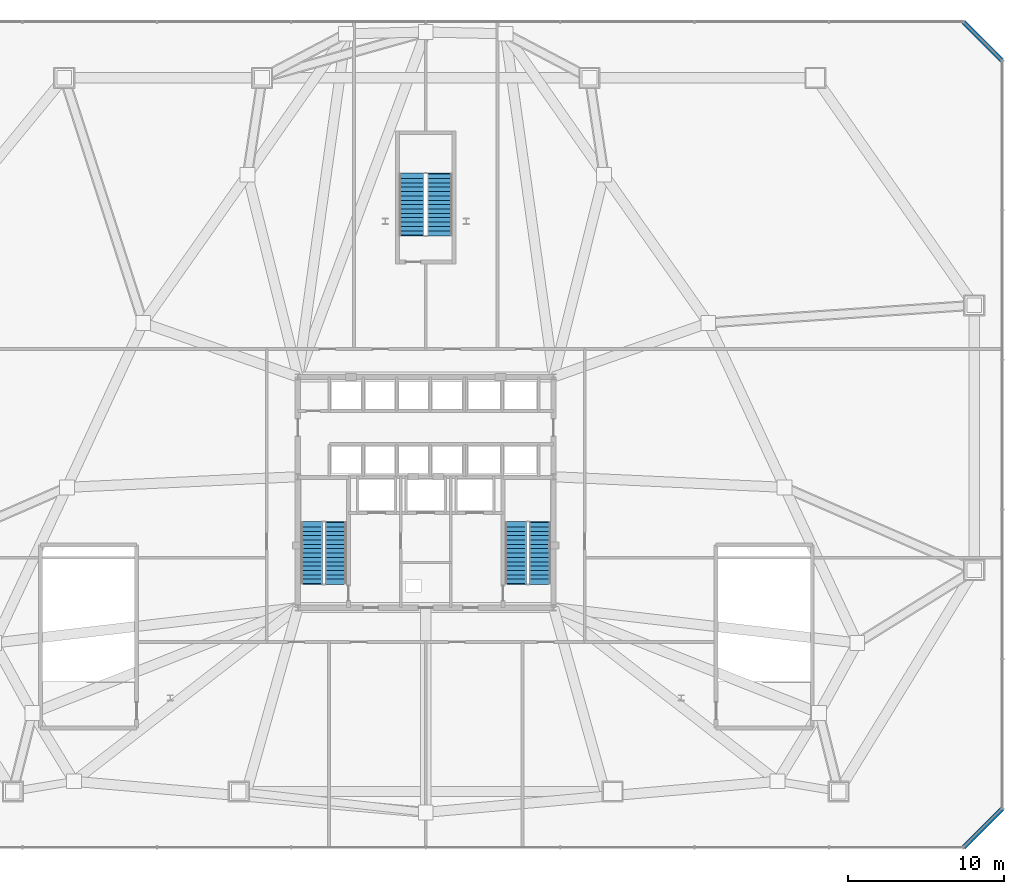
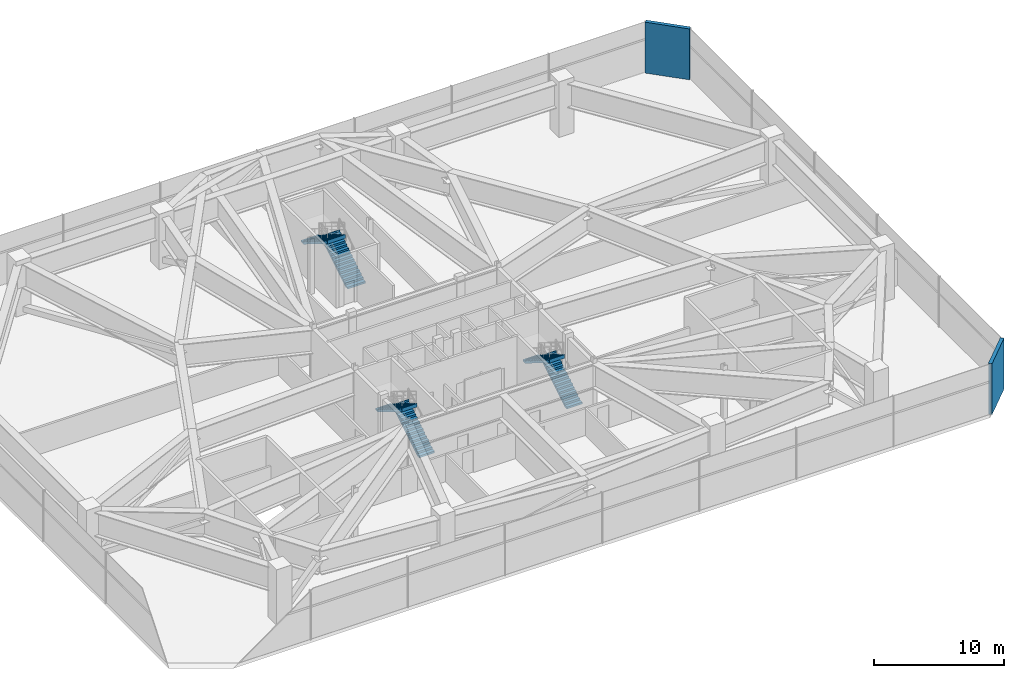
# One storey, part 25 of 29: 6 stair flights, 2 walls, 3 elements without a shape of their own.
"""IFC4 building model written with IfcOpenShell, lengths in metres."""

from ifc_helpers import new_model, si_unit, direction, frame, frame_2d, origin, place, context, subcontext, project, spatial, polyline, rectangle, outline, extrude, material, layer, layer_set, type_object, element, aggregate, save


model = new_model("IFC4")

# Units and contexts
model_context = context("Model", 3, precision=1e-05, world=origin(), true_north=direction((0.0, 1.0)))
body_context = subcontext(model_context, "Body", "Model", "MODEL_VIEW")
ifc_project = project(units=[si_unit("LENGTHUNIT", "METRE"), si_unit("AREAUNIT", "SQUARE_METRE"), si_unit("VOLUMEUNIT", "CUBIC_METRE"), si_unit("PLANEANGLEUNIT", "RADIAN"), si_unit("MASSUNIT", "GRAM", prefix="KILO")], contexts=[model_context])

# Site, building, storey
site_placement = place(None, origin())
site = spatial("IfcSite", under=ifc_project, at=site_placement, CompositionType="ELEMENT")
building_placement = place(site_placement, origin())
building = spatial("IfcBuilding", under=site, at=building_placement, Name="Varakhsha Concourse Tower", CompositionType="ELEMENT")
storey_placement = place(building_placement, frame((0.0, 0.0, 22.0)))
storey = spatial("IfcBuildingStorey", under=building, at=storey_placement, Name="L05", CompositionType="ELEMENT", Elevation=22.0)

# Walls
ifc_material = material(Name="Concrete fc 45 MPa", Category="concrete")
ifc_layer = layer(ifc_material, 0.300048828125, Name="WL-EXT-POD-300")
ifc_layer_set = layer_set([ifc_layer], Name="Concrete fc 45 MPa")
wall_type = type_object("IfcWallType", Name="WL-EXT-POD-300", PredefinedType="STANDARD", material=ifc_layer_set)
for number, where, z_axis, x_axis, name in (
    (1, (74.5, 1.0, 0.0), (0.0, 0.0, 1.0), (0.707106781187, 0.707106781187, 0.0), "L05 Podium Chamfer Wall 1"),
    (2, (77.0, 51.5, 0.0), (0.0, 0.0, 1.0), (-0.707106781187, 0.707106781187, 0.0), "L05 Podium Chamfer Wall 3"),
):
    element("IfcWall", number, at=place(storey_placement, frame(where, z_axis=z_axis, x_axis=x_axis)), inside=storey, type_object=wall_type, Name=name, PredefinedType="STANDARD", context=body_context, shape_type="SweptSolid", body=[
        extrude(rectangle(XDim=3.53564453125, YDim=0.300048828125, at=frame_2d((1.767822265625, 0.0))), origin(), (0.0, 0.0, 1.0), 4.780029296875),
    ])

# Stair, stair flights
stair_type_1 = type_object("IfcStairType", Name="ST-DOGLEG-1360", PredefinedType="HALF_TURN_STAIR", material=ifc_material)
stair_1_placement = place(storey_placement, origin())
stair_1 = element("IfcStair", 3, at=stair_1_placement, inside=storey, type_object=stair_type_1, Name="L05 Protected Exit Stair ST1", PredefinedType="HALF_TURN_STAIR")
stair_flight_type_1 = type_object("IfcStairFlightType", Name="STF-1360-R1733", PredefinedType="STRAIGHT", material=ifc_material)
stair_flight_1_placement = place(storey_placement, frame((34.239990234375, 17.93994140625, 0.0), z_axis=(0.0, 0.0, 1.0), x_axis=(0.0, 1.0, 0.0)))
stair_flight_1 = element("IfcStairFlight", 4, at=stair_flight_1_placement, type_object=stair_flight_type_1, Name="ST1 flight 1", NumberOfRisers=15, NumberOfTreads=14, PredefinedType="STRAIGHT", RiserHeight=0.173333333, TreadLength=0.28, context=body_context, shape_type="SweptSolid", body=[
    extrude(outline(polyline([(-0.06005859375, 0.0), (-0.06005859375, 0.17333984375), (0.0, 0.17333984375), (0.280029296875, 0.17333984375), (0.280029296875, 0.3466796875), (0.56005859375, 0.3466796875), (0.56005859375, 0.52001953125), (0.840087890625, 0.52001953125), (0.840087890625, 0.693359375), (1.1201171875, 0.693359375), (1.1201171875, 0.86669921875), (1.39990234375, 0.86669921875), (1.39990234375, 1.0400390625), (1.679931640625, 1.0400390625), (1.679931640625, 1.21337890625), (1.9599609375, 1.21337890625), (1.9599609375, 1.38671875), (2.239990234375, 1.38671875), (2.239990234375, 1.56005859375), (2.52001953125, 1.56005859375), (2.52001953125, 1.7333984375), (2.800048828125, 1.7333984375), (2.800048828125, 1.90673828125), (3.080078125, 1.90673828125), (3.080078125, 2.080078125), (3.360107421875, 2.080078125), (3.360107421875, 2.25341796875), (3.639892578125, 2.25341796875), (3.639892578125, 2.4267578125), (3.919921875, 2.4267578125), (3.919921875, 2.60009765625), (3.97998046875, 2.60009765625), (3.97998046875, 2.250244140625), (3.919921875, 2.250244140625), (0.284912109375, 0.0), (-0.06005859375, 0.0)])), frame((0.0, 0.68017578125, 0.0), z_axis=(0.0, -1.0, 0.0), x_axis=(1.0, 0.0, 0.0)), (0.0, 0.0, 1.0), 1.360107421875),
])
stair_flight_2_placement = place(storey_placement, frame((32.679931640625, 21.860107421875, 2.60009765625), z_axis=(0.0, 0.0, 1.0), x_axis=(0.0, -1.0, 0.0)))
stair_flight_2 = element("IfcStairFlight", 5, at=stair_flight_2_placement, type_object=stair_flight_type_1, Name="ST1 flight 2", NumberOfRisers=15, NumberOfTreads=14, PredefinedType="STRAIGHT", RiserHeight=0.173333333, TreadLength=0.28, context=body_context, shape_type="SweptSolid", body=[
    extrude(outline(polyline([(-0.06005859375, 0.0), (-0.06005859375, 0.17333984375), (0.0, 0.17333984375), (0.280029296875, 0.17333984375), (0.280029296875, 0.3466796875), (0.56005859375, 0.3466796875), (0.56005859375, 0.52001953125), (0.840087890625, 0.52001953125), (0.840087890625, 0.693359375), (1.1201171875, 0.693359375), (1.1201171875, 0.86669921875), (1.39990234375, 0.86669921875), (1.39990234375, 1.0400390625), (1.679931640625, 1.0400390625), (1.679931640625, 1.21337890625), (1.9599609375, 1.21337890625), (1.9599609375, 1.38671875), (2.239990234375, 1.38671875), (2.239990234375, 1.56005859375), (2.52001953125, 1.56005859375), (2.52001953125, 1.7333984375), (2.800048828125, 1.7333984375), (2.800048828125, 1.90673828125), (3.080078125, 1.90673828125), (3.080078125, 2.080078125), (3.360107421875, 2.080078125), (3.360107421875, 2.25341796875), (3.639892578125, 2.25341796875), (3.639892578125, 2.4267578125), (3.919921875, 2.4267578125), (3.919921875, 2.60009765625), (3.97998046875, 2.60009765625), (3.97998046875, 2.250244140625), (3.919921875, 2.250244140625), (0.284912109375, 0.0), (-0.06005859375, 0.0)])), frame((0.0, 0.68017578125, 0.0), z_axis=(0.0, -1.0, 0.0), x_axis=(1.0, 0.0, 0.0)), (0.0, 0.0, 1.0), 1.360107421875),
])
aggregate(stair_1, [stair_flight_1, stair_flight_2])

stair_2_placement = place(storey_placement, origin())
stair_2 = element("IfcStair", 6, at=stair_2_placement, inside=storey, type_object=stair_type_1, Name="L05 Protected Exit Stair ST2", PredefinedType="HALF_TURN_STAIR")
stair_flight_3_placement = place(storey_placement, frame((47.340087890625, 17.93994140625, 0.0), z_axis=(0.0, 0.0, 1.0), x_axis=(0.0, 1.0, 0.0)))
stair_flight_3 = element("IfcStairFlight", 7, at=stair_flight_3_placement, type_object=stair_flight_type_1, Name="ST2 flight 1", NumberOfRisers=15, NumberOfTreads=14, PredefinedType="STRAIGHT", RiserHeight=0.173333333, TreadLength=0.28, context=body_context, shape_type="SweptSolid", body=[
    extrude(outline(polyline([(-0.06005859375, 0.0), (-0.06005859375, 0.17333984375), (0.0, 0.17333984375), (0.280029296875, 0.17333984375), (0.280029296875, 0.3466796875), (0.56005859375, 0.3466796875), (0.56005859375, 0.52001953125), (0.840087890625, 0.52001953125), (0.840087890625, 0.693359375), (1.1201171875, 0.693359375), (1.1201171875, 0.86669921875), (1.39990234375, 0.86669921875), (1.39990234375, 1.0400390625), (1.679931640625, 1.0400390625), (1.679931640625, 1.21337890625), (1.9599609375, 1.21337890625), (1.9599609375, 1.38671875), (2.239990234375, 1.38671875), (2.239990234375, 1.56005859375), (2.52001953125, 1.56005859375), (2.52001953125, 1.7333984375), (2.800048828125, 1.7333984375), (2.800048828125, 1.90673828125), (3.080078125, 1.90673828125), (3.080078125, 2.080078125), (3.360107421875, 2.080078125), (3.360107421875, 2.25341796875), (3.639892578125, 2.25341796875), (3.639892578125, 2.4267578125), (3.919921875, 2.4267578125), (3.919921875, 2.60009765625), (3.97998046875, 2.60009765625), (3.97998046875, 2.250244140625), (3.919921875, 2.250244140625), (0.284912109375, 0.0), (-0.06005859375, 0.0)])), frame((0.0, 0.68017578125, 0.0), z_axis=(0.0, -1.0, 0.0), x_axis=(1.0, 0.0, 0.0)), (0.0, 0.0, 1.0), 1.360107421875),
])
stair_flight_4_placement = place(storey_placement, frame((45.780029296875, 21.860107421875, 2.60009765625), z_axis=(0.0, 0.0, 1.0), x_axis=(0.0, -1.0, 0.0)))
stair_flight_4 = element("IfcStairFlight", 8, at=stair_flight_4_placement, type_object=stair_flight_type_1, Name="ST2 flight 2", NumberOfRisers=15, NumberOfTreads=14, PredefinedType="STRAIGHT", RiserHeight=0.173333333, TreadLength=0.28, context=body_context, shape_type="SweptSolid", body=[
    extrude(outline(polyline([(-0.06005859375, 0.0), (-0.06005859375, 0.17333984375), (0.0, 0.17333984375), (0.280029296875, 0.17333984375), (0.280029296875, 0.3466796875), (0.56005859375, 0.3466796875), (0.56005859375, 0.52001953125), (0.840087890625, 0.52001953125), (0.840087890625, 0.693359375), (1.1201171875, 0.693359375), (1.1201171875, 0.86669921875), (1.39990234375, 0.86669921875), (1.39990234375, 1.0400390625), (1.679931640625, 1.0400390625), (1.679931640625, 1.21337890625), (1.9599609375, 1.21337890625), (1.9599609375, 1.38671875), (2.239990234375, 1.38671875), (2.239990234375, 1.56005859375), (2.52001953125, 1.56005859375), (2.52001953125, 1.7333984375), (2.800048828125, 1.7333984375), (2.800048828125, 1.90673828125), (3.080078125, 1.90673828125), (3.080078125, 2.080078125), (3.360107421875, 2.080078125), (3.360107421875, 2.25341796875), (3.639892578125, 2.25341796875), (3.639892578125, 2.4267578125), (3.919921875, 2.4267578125), (3.919921875, 2.60009765625), (3.97998046875, 2.60009765625), (3.97998046875, 2.250244140625), (3.919921875, 2.250244140625), (0.284912109375, 0.0), (-0.06005859375, 0.0)])), frame((0.0, 0.68017578125, 0.0), z_axis=(0.0, -1.0, 0.0), x_axis=(1.0, 0.0, 0.0)), (0.0, 0.0, 1.0), 1.360107421875),
])
aggregate(stair_2, [stair_flight_3, stair_flight_4])

stair_type_2 = type_object("IfcStairType", Name="ST-DOGLEG-1600", PredefinedType="HALF_TURN_STAIR", material=ifc_material)
stair_3_placement = place(storey_placement, origin())
stair_3 = element("IfcStair", 9, at=stair_3_placement, inside=storey, type_object=stair_type_2, Name="L05 Protected Exit Stair ST5", PredefinedType="HALF_TURN_STAIR")
stair_flight_type_2 = type_object("IfcStairFlightType", Name="STF-1600-R1733", PredefinedType="STRAIGHT", material=ifc_material)
stair_flight_5_placement = place(storey_placement, frame((40.89990234375, 40.300048828125, 0.0), z_axis=(0.0, 0.0, 1.0), x_axis=(0.0, 1.0, 0.0)))
stair_flight_5 = element("IfcStairFlight", 10, at=stair_flight_5_placement, type_object=stair_flight_type_2, Name="ST5 flight 1", NumberOfRisers=15, NumberOfTreads=14, PredefinedType="STRAIGHT", RiserHeight=0.173333333, TreadLength=0.28, context=body_context, shape_type="SweptSolid", body=[
    extrude(outline(polyline([(-0.06005859375, 0.0), (-0.06005859375, 0.17333984375), (0.0, 0.17333984375), (0.280029296875, 0.17333984375), (0.280029296875, 0.3466796875), (0.56005859375, 0.3466796875), (0.56005859375, 0.52001953125), (0.840087890625, 0.52001953125), (0.840087890625, 0.693359375), (1.1201171875, 0.693359375), (1.1201171875, 0.86669921875), (1.39990234375, 0.86669921875), (1.39990234375, 1.0400390625), (1.679931640625, 1.0400390625), (1.679931640625, 1.21337890625), (1.9599609375, 1.21337890625), (1.9599609375, 1.38671875), (2.239990234375, 1.38671875), (2.239990234375, 1.56005859375), (2.52001953125, 1.56005859375), (2.52001953125, 1.7333984375), (2.800048828125, 1.7333984375), (2.800048828125, 1.90673828125), (3.080078125, 1.90673828125), (3.080078125, 2.080078125), (3.360107421875, 2.080078125), (3.360107421875, 2.25341796875), (3.639892578125, 2.25341796875), (3.639892578125, 2.4267578125), (3.919921875, 2.4267578125), (3.919921875, 2.60009765625), (3.97998046875, 2.60009765625), (3.97998046875, 2.250244140625), (3.919921875, 2.250244140625), (0.284912109375, 0.0), (-0.06005859375, 0.0)])), frame((0.0, 0.800048828125, 0.0), z_axis=(0.0, -1.0, 0.0), x_axis=(1.0, 0.0, 0.0)), (0.0, 0.0, 1.0), 1.60009765625),
])
stair_flight_6_placement = place(storey_placement, frame((39.10009765625, 44.219970703125, 2.60009765625), z_axis=(0.0, 0.0, 1.0), x_axis=(0.0, -1.0, 0.0)))
stair_flight_6 = element("IfcStairFlight", 11, at=stair_flight_6_placement, type_object=stair_flight_type_2, Name="ST5 flight 2", NumberOfRisers=15, NumberOfTreads=14, PredefinedType="STRAIGHT", RiserHeight=0.173333333, TreadLength=0.28, context=body_context, shape_type="SweptSolid", body=[
    extrude(outline(polyline([(-0.06005859375, 0.0), (-0.06005859375, 0.17333984375), (0.0, 0.17333984375), (0.280029296875, 0.17333984375), (0.280029296875, 0.3466796875), (0.56005859375, 0.3466796875), (0.56005859375, 0.52001953125), (0.840087890625, 0.52001953125), (0.840087890625, 0.693359375), (1.1201171875, 0.693359375), (1.1201171875, 0.86669921875), (1.39990234375, 0.86669921875), (1.39990234375, 1.0400390625), (1.679931640625, 1.0400390625), (1.679931640625, 1.21337890625), (1.9599609375, 1.21337890625), (1.9599609375, 1.38671875), (2.239990234375, 1.38671875), (2.239990234375, 1.56005859375), (2.52001953125, 1.56005859375), (2.52001953125, 1.7333984375), (2.800048828125, 1.7333984375), (2.800048828125, 1.90673828125), (3.080078125, 1.90673828125), (3.080078125, 2.080078125), (3.360107421875, 2.080078125), (3.360107421875, 2.25341796875), (3.639892578125, 2.25341796875), (3.639892578125, 2.4267578125), (3.919921875, 2.4267578125), (3.919921875, 2.60009765625), (3.97998046875, 2.60009765625), (3.97998046875, 2.250244140625), (3.919921875, 2.250244140625), (0.284912109375, 0.0), (-0.06005859375, 0.0)])), frame((0.0, 0.800048828125, 0.0), z_axis=(0.0, -1.0, 0.0), x_axis=(1.0, 0.0, 0.0)), (0.0, 0.0, 1.0), 1.60009765625),
])
aggregate(stair_3, [stair_flight_5, stair_flight_6])

save(model, "model.ifc")
